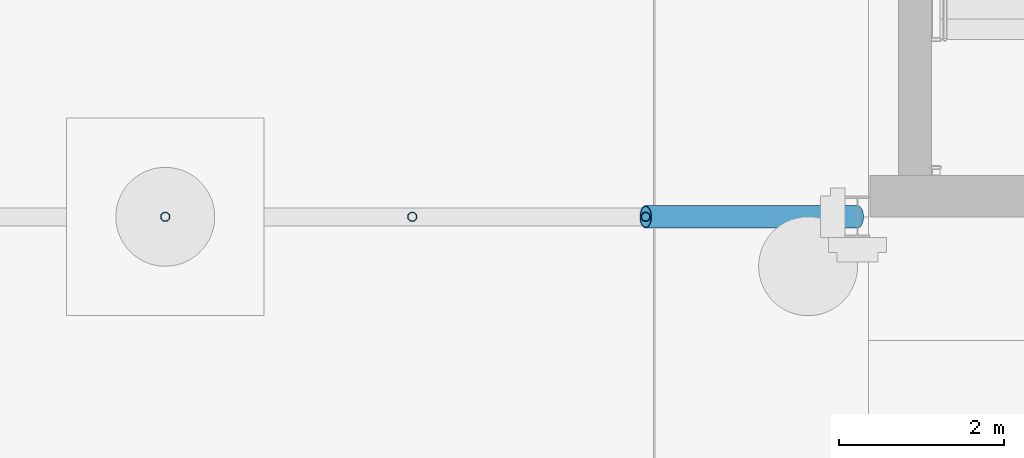
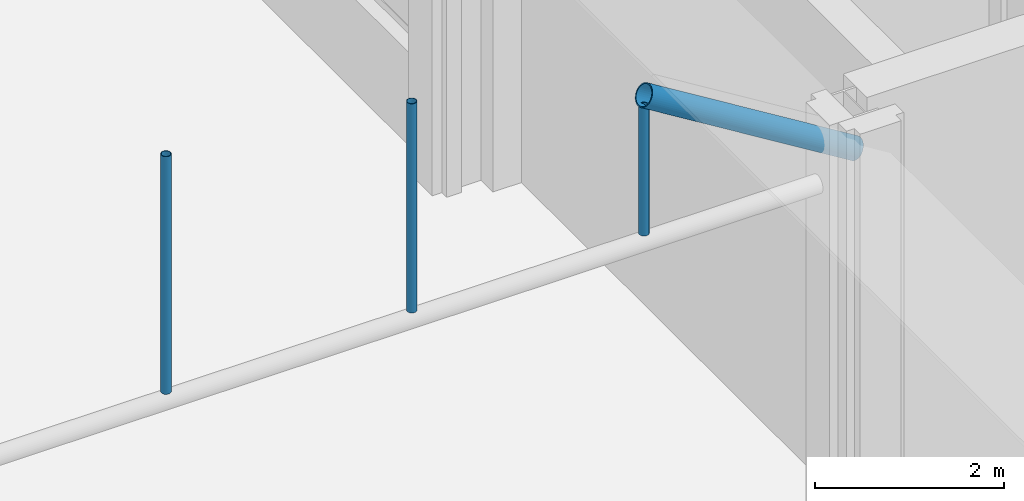
# One storey, part 143 of 212: 4 members.
"""IFC4 building model written with IfcOpenShell, lengths in metres."""

from ifc_helpers import new_model, si_unit, direction, frame, origin, origin_2d, place, context, subcontext, project, spatial, hollow_circle, extrude, material, material_profile, profile_set, type_object, element, save


model = new_model("IFC4")

# Units and contexts
model_context = context("Model", 3, precision=1e-05, world=origin(), true_north=direction((0.0, 1.0)))
body_context = subcontext(model_context, "Body", "Model", "MODEL_VIEW")
ifc_project = project(units=[si_unit("LENGTHUNIT", "METRE"), si_unit("AREAUNIT", "SQUARE_METRE"), si_unit("VOLUMEUNIT", "CUBIC_METRE"), si_unit("PLANEANGLEUNIT", "RADIAN"), si_unit("MASSUNIT", "GRAM", prefix="KILO")], contexts=[model_context])

# Site, building, storey
site_placement = place(None, origin())
site = spatial("IfcSite", under=ifc_project, at=site_placement, CompositionType="ELEMENT")
building_placement = place(site_placement, origin())
building = spatial("IfcBuilding", under=site, at=building_placement, Name="Catenary Quay Ferry Terminal", CompositionType="ELEMENT")
storey_placement = place(building_placement, origin())
storey = spatial("IfcBuildingStorey", under=building, at=storey_placement, Name="L00", CompositionType="ELEMENT", Elevation=0.0)

# Members
ifc_material_1 = material(Name="Steel S355", Category="steel")
ifc_material_profile_1 = material_profile(ifc_material_1, hollow_circle(Radius=0.05712890625, WallThickness=0.00634765625, at=origin_2d()), Name="CHS 114.3x6.3")
ifc_profile_set_1 = profile_set([ifc_material_profile_1], Name="Steel S355")
member_type_1 = type_object("IfcMemberType", Name="HG1 CHS 114.3x6.3", PredefinedType="POST", material=ifc_profile_set_1)
member_1_placement = place(storey_placement, frame((16.800048828125, 159.60009765625, 5.205078125), z_axis=(0.0, 0.0, 1.0), x_axis=(1.0, 0.0, 0.0)))
element("IfcMember", 1, at=member_1_placement, inside=storey, type_object=member_type_1, Name="Hanger FC-12-03", PredefinedType="POST", context=body_context, shape_type="SweptSolid", body=[
    extrude(hollow_circle(Radius=0.05712890625, WallThickness=0.00634765625, at=origin_2d()), origin(), (0.0, 0.0, 1.0), 3.06494140625),
])
member_2_placement = place(storey_placement, frame((19.797119140625, 159.60009765625, 5.205078125), z_axis=(0.0, 0.0, 1.0), x_axis=(1.0, 0.0, 0.0)))
element("IfcMember", 2, at=member_2_placement, inside=storey, type_object=member_type_1, Name="Hanger FC-12-04", PredefinedType="POST", context=body_context, shape_type="SweptSolid", body=[
    extrude(hollow_circle(Radius=0.05712890625, WallThickness=0.00634765625, at=origin_2d()), origin(), (0.0, 0.0, 1.0), 2.69580078125),
])
member_3_placement = place(storey_placement, frame((22.62890625, 159.60009765625, 5.205078125), z_axis=(0.0, 0.0, 1.0), x_axis=(1.0, 0.0, 0.0)))
element("IfcMember", 3, at=member_3_placement, inside=storey, type_object=member_type_1, Name="Hanger FC-12-05", PredefinedType="POST", context=body_context, shape_type="SweptSolid", body=[
    extrude(hollow_circle(Radius=0.05712890625, WallThickness=0.00634765625, at=origin_2d()), origin(), (0.0, 0.0, 1.0), 1.64892578125),
])
ifc_material_2 = material(Name="Steel S355", Category="steel")
ifc_material_profile_2 = material_profile(ifc_material_2, hollow_circle(Radius=0.136474609375, WallThickness=0.012451171875, at=origin_2d()), Name="CHS 273x12.5")
ifc_profile_set_2 = profile_set([ifc_material_profile_2], Name="Steel S355")
member_type_2 = type_object("IfcMemberType", Name="VR2 CHS 273x12.5", PredefinedType="RAFTER", material=ifc_profile_set_2)
member_4_placement = place(storey_placement, frame((22.62890625, 159.60009765625, 6.98388671875), z_axis=(0.851391726314, 0.0, -0.524530388408), x_axis=(0.0, 1.0, 0.0)))
element("IfcMember", 4, at=member_4_placement, inside=storey, type_object=member_type_2, Name="rib FC-12-06", PredefinedType="RAFTER", context=body_context, shape_type="SweptSolid", body=[
    extrude(hollow_circle(Radius=0.136474609375, WallThickness=0.012451171875, at=origin_2d()), origin(), (0.0, 0.0, 1.0), 3.019775390625),
])

save(model, "model.ifc")
